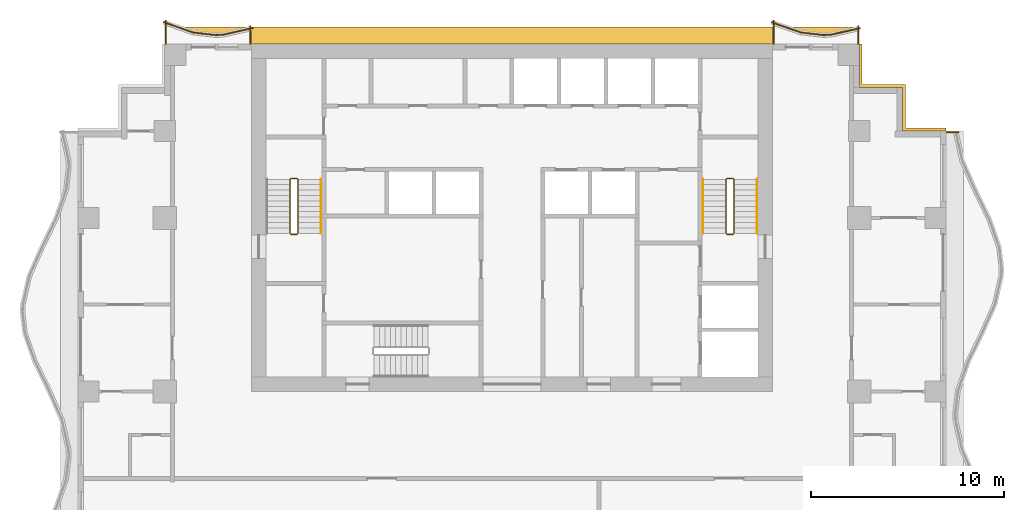
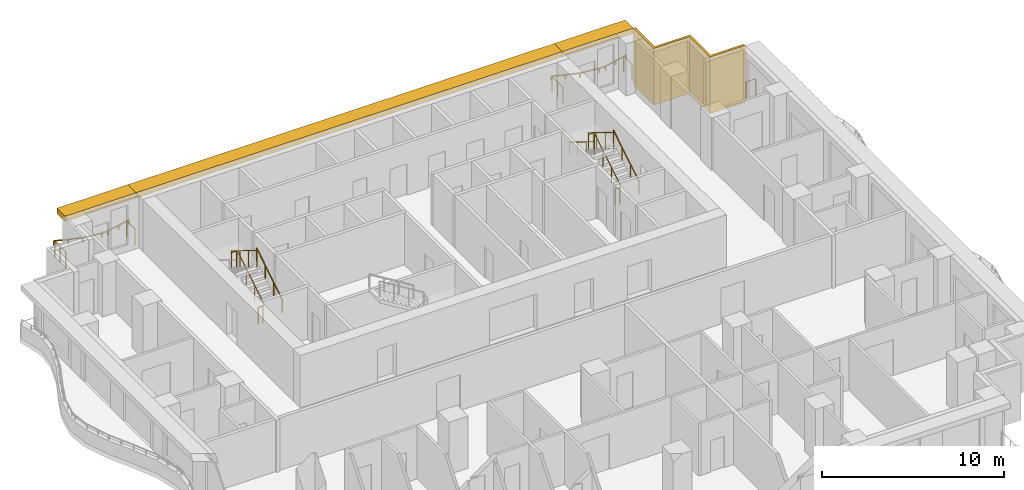
# One storey, part 10 of 10: 14 railings, 4 shading devices.
"""IFC4 building model written with IfcOpenShell, lengths in metres."""

from ifc_helpers import new_model, si_unit, direction, frame, origin, origin_2d, place, context, subcontext, project, spatial, polyline, rectangle, circle, outline, extrude, material, layer, layer_set, type_object, element, save


model = new_model("IFC4")

# Units and contexts
model_context = context("Model", 3, precision=1e-05, world=origin(), true_north=direction((0.0, 1.0)))
body_context = subcontext(model_context, "Body", "Model", "MODEL_VIEW")
ifc_project = project(units=[si_unit("LENGTHUNIT", "METRE"), si_unit("AREAUNIT", "SQUARE_METRE"), si_unit("VOLUMEUNIT", "CUBIC_METRE"), si_unit("PLANEANGLEUNIT", "RADIAN"), si_unit("MASSUNIT", "GRAM", prefix="KILO")], contexts=[model_context])

# Site, building, storey
site_placement = place(None, origin())
site = spatial("IfcSite", under=ifc_project, at=site_placement, CompositionType="ELEMENT")
building_placement = place(site_placement, origin())
building = spatial("IfcBuilding", under=site, at=building_placement, Name="Orbiselva Terraces", CompositionType="ELEMENT")
storey_placement = place(building_placement, frame((0.0, 0.0, 163.0)))
storey = spatial("IfcBuildingStorey", under=building, at=storey_placement, Name="L41", CompositionType="ELEMENT", Elevation=163.0)

# Railings
ifc_material_1 = material(Name="Stainless steel", Category="steel")
railing_type_1 = type_object("IfcRailingType", Name="CORE-GUARD-1100", PredefinedType="GUARDRAIL", material=ifc_material_1)
railing_1_placement = place(storey_placement, frame((-11.1, 12.7, 0.172727)))
element("IfcRailing", 1, at=railing_1_placement, inside=storey, type_object=railing_type_1, Name="L41 S1 stair guard 1", PredefinedType="GUARDRAIL", context=body_context, shape_type="SweptSolid", body=[
    extrude(circle(Radius=0.024, at=origin_2d()), frame((0.0, 0.0, 1.081), z_axis=(0.0, 0.851088519012, 0.52502222125), x_axis=(-1.0, 0.0, 0.0)), (0.0, 0.0, 1.0), 3.289905),
    extrude(circle(Radius=0.024, at=origin_2d()), frame((0.0, 2.8, 2.808273), z_axis=(-0.707106781187, 0.707106781187, 0.0), x_axis=(-0.707106781187, -0.707106781187, 0.0)), (0.0, 0.0, 1.0), 0.070711),
    extrude(circle(Radius=0.024, at=origin_2d()), frame((-0.05, 2.85, 2.808273), z_axis=(-1.0, 0.0, 0.0), x_axis=(0.0, -1.0, 0.0)), (0.0, 0.0, 1.0), 0.3),
    extrude(circle(Radius=0.024, at=origin_2d()), frame((-0.35, 2.85, 2.808273), z_axis=(-0.267894925557, -0.267894925557, 0.925453736133), x_axis=(0.707106781187, -0.707106781187, 0.0)), (0.0, 0.0, 1.0), 0.18664),
    extrude(circle(Radius=0.024, at=origin_2d()), frame((-0.4, 2.8, 2.981), z_axis=(0.0, -0.851088519012, 0.52502222125), x_axis=(1.0, 0.0, 0.0)), (0.0, 0.0, 1.0), 3.289905),
    extrude(circle(Radius=0.021, at=origin_2d()), origin(), (0.0, 0.0, 1.0), 1.057),
    extrude(circle(Radius=0.021, at=origin_2d()), frame((0.0, 0.933333, 0.575758)), (0.0, 0.0, 1.0), 1.057),
    extrude(circle(Radius=0.021, at=origin_2d()), frame((0.0, 1.866667, 1.151515)), (0.0, 0.0, 1.0), 1.057),
    extrude(circle(Radius=0.021, at=origin_2d()), frame((0.0, 2.8, 1.727273)), (0.0, 0.0, 1.0), 1.057),
    extrude(circle(Radius=0.021, at=origin_2d()), frame((-0.05, 2.85, 1.727273)), (0.0, 0.0, 1.0), 1.057),
    extrude(circle(Radius=0.021, at=origin_2d()), frame((-0.35, 2.85, 1.727273)), (0.0, 0.0, 1.0), 1.057),
    extrude(circle(Radius=0.021, at=origin_2d()), frame((-0.4, 2.8, 1.9)), (0.0, 0.0, 1.0), 1.057),
    extrude(circle(Radius=0.021, at=origin_2d()), frame((-0.4, 1.866667, 2.475758)), (0.0, 0.0, 1.0), 1.057),
    extrude(circle(Radius=0.021, at=origin_2d()), frame((-0.4, 0.933333, 3.051515)), (0.0, 0.0, 1.0), 1.057),
    extrude(circle(Radius=0.021, at=origin_2d()), frame((-0.4, 0.0, 3.627273)), (0.0, 0.0, 1.0), 1.057),
])
railing_2_placement = place(storey_placement, frame((-11.15, 12.65, 0.0)))
element("IfcRailing", 2, at=railing_2_placement, inside=storey, type_object=railing_type_1, Name="L41 S1 stair guard 2", PredefinedType="GUARDRAIL", context=body_context, shape_type="SweptSolid", body=[
    extrude(circle(Radius=0.024, at=origin_2d()), frame((0.0, 0.0, 1.081), z_axis=(-1.0, 0.0, 0.0), x_axis=(0.0, -1.0, 0.0)), (0.0, 0.0, 1.0), 0.3),
    extrude(circle(Radius=0.021, at=origin_2d()), origin(), (0.0, 0.0, 1.0), 1.057),
    extrude(circle(Radius=0.021, at=origin_2d()), frame((-0.3, 0.0, 0.0)), (0.0, 0.0, 1.0), 1.057),
])
railing_3_placement = place(storey_placement, frame((11.5, 12.7, 0.172727)))
element("IfcRailing", 3, at=railing_3_placement, inside=storey, type_object=railing_type_1, Name="L41 S2 stair guard 1", PredefinedType="GUARDRAIL", context=body_context, shape_type="SweptSolid", body=[
    extrude(circle(Radius=0.024, at=origin_2d()), frame((0.0, 0.0, 1.081), z_axis=(0.0, 0.851088519012, 0.52502222125), x_axis=(-1.0, 0.0, 0.0)), (0.0, 0.0, 1.0), 3.289905),
    extrude(circle(Radius=0.024, at=origin_2d()), frame((0.0, 2.8, 2.808273), z_axis=(-0.707106781187, 0.707106781187, 0.0), x_axis=(-0.707106781187, -0.707106781187, 0.0)), (0.0, 0.0, 1.0), 0.070711),
    extrude(circle(Radius=0.024, at=origin_2d()), frame((-0.05, 2.85, 2.808273), z_axis=(-1.0, 0.0, 0.0), x_axis=(0.0, -1.0, 0.0)), (0.0, 0.0, 1.0), 0.3),
    extrude(circle(Radius=0.024, at=origin_2d()), frame((-0.35, 2.85, 2.808273), z_axis=(-0.267894925557, -0.267894925557, 0.925453736133), x_axis=(0.707106781187, -0.707106781187, 0.0)), (0.0, 0.0, 1.0), 0.18664),
    extrude(circle(Radius=0.024, at=origin_2d()), frame((-0.4, 2.8, 2.981), z_axis=(0.0, -0.851088519012, 0.52502222125), x_axis=(1.0, 0.0, 0.0)), (0.0, 0.0, 1.0), 3.289905),
    extrude(circle(Radius=0.021, at=origin_2d()), origin(), (0.0, 0.0, 1.0), 1.057),
    extrude(circle(Radius=0.021, at=origin_2d()), frame((0.0, 0.933333, 0.575758)), (0.0, 0.0, 1.0), 1.057),
    extrude(circle(Radius=0.021, at=origin_2d()), frame((0.0, 1.866667, 1.151515)), (0.0, 0.0, 1.0), 1.057),
    extrude(circle(Radius=0.021, at=origin_2d()), frame((0.0, 2.8, 1.727273)), (0.0, 0.0, 1.0), 1.057),
    extrude(circle(Radius=0.021, at=origin_2d()), frame((-0.05, 2.85, 1.727273)), (0.0, 0.0, 1.0), 1.057),
    extrude(circle(Radius=0.021, at=origin_2d()), frame((-0.35, 2.85, 1.727273)), (0.0, 0.0, 1.0), 1.057),
    extrude(circle(Radius=0.021, at=origin_2d()), frame((-0.4, 2.8, 1.9)), (0.0, 0.0, 1.0), 1.057),
    extrude(circle(Radius=0.021, at=origin_2d()), frame((-0.4, 1.866667, 2.475758)), (0.0, 0.0, 1.0), 1.057),
    extrude(circle(Radius=0.021, at=origin_2d()), frame((-0.4, 0.933333, 3.051515)), (0.0, 0.0, 1.0), 1.057),
    extrude(circle(Radius=0.021, at=origin_2d()), frame((-0.4, 0.0, 3.627273)), (0.0, 0.0, 1.0), 1.057),
])
railing_4_placement = place(storey_placement, frame((11.45, 12.65, 0.0)))
element("IfcRailing", 4, at=railing_4_placement, inside=storey, type_object=railing_type_1, Name="L41 S2 stair guard 2", PredefinedType="GUARDRAIL", context=body_context, shape_type="SweptSolid", body=[
    extrude(circle(Radius=0.024, at=origin_2d()), frame((0.0, 0.0, 1.081), z_axis=(-1.0, 0.0, 0.0), x_axis=(0.0, -1.0, 0.0)), (0.0, 0.0, 1.0), 0.3),
    extrude(circle(Radius=0.021, at=origin_2d()), origin(), (0.0, 0.0, 1.0), 1.057),
    extrude(circle(Radius=0.021, at=origin_2d()), frame((-0.3, 0.0, 0.0)), (0.0, 0.0, 1.0), 1.057),
])
railing_type_2 = type_object("IfcRailingType", Name="CORE-HANDRAIL-900", PredefinedType="HANDRAIL", material=ifc_material_1)
for number, where, name in (
    (5, (-9.9, 12.7, 0.172727), "L41 S1 stair handrail 1"),
    (6, (12.7, 12.7, 0.172727), "L41 S2 stair handrail 1"),
):
    element("IfcRailing", number, at=place(storey_placement, frame(where)), inside=storey, type_object=railing_type_2, Name=name, PredefinedType="HANDRAIL", context=body_context, shape_type="SweptSolid", body=[
        extrude(circle(Radius=0.024, at=origin_2d()), frame((0.0, 0.0, 0.876), z_axis=(0.0, 0.851088519012, 0.52502222125), x_axis=(-1.0, 0.0, 0.0)), (0.0, 0.0, 1.0), 3.289905),
        extrude(circle(Radius=0.021, at=origin_2d()), origin(), (0.0, 0.0, 1.0), 0.852),
        extrude(circle(Radius=0.021, at=origin_2d()), frame((0.0, 0.933333, 0.575758)), (0.0, 0.0, 1.0), 0.852),
        extrude(circle(Radius=0.021, at=origin_2d()), frame((0.0, 1.866667, 1.151515)), (0.0, 0.0, 1.0), 0.852),
        extrude(circle(Radius=0.021, at=origin_2d()), frame((0.0, 2.8, 1.727273)), (0.0, 0.0, 1.0), 0.852),
    ])
railing_5_placement = place(storey_placement, frame((9.9, 15.5, 2.072727)))
element("IfcRailing", 7, at=railing_5_placement, inside=storey, type_object=railing_type_2, Name="L41 S2 stair handrail 2", PredefinedType="HANDRAIL", context=body_context, shape_type="SweptSolid", body=[
    extrude(circle(Radius=0.024, at=origin_2d()), frame((0.0, 0.0, 0.876), z_axis=(0.0, -0.851088519012, 0.52502222125), x_axis=(1.0, 0.0, 0.0)), (0.0, 0.0, 1.0), 3.289905),
    extrude(circle(Radius=0.021, at=origin_2d()), origin(), (0.0, 0.0, 1.0), 0.852),
    extrude(circle(Radius=0.021, at=origin_2d()), frame((0.0, -0.933333, 0.575758)), (0.0, 0.0, 1.0), 0.852),
    extrude(circle(Radius=0.021, at=origin_2d()), frame((0.0, -1.866667, 1.151515)), (0.0, 0.0, 1.0), 0.852),
    extrude(circle(Radius=0.021, at=origin_2d()), frame((0.0, -2.8, 1.727273)), (0.0, 0.0, 1.0), 0.852),
])
ifc_material_2 = material(Name="Bonded two-ply safety glass balustrade, stainless steel posts", Category="steel")
railing_type_3 = type_object("IfcRailingType", Name="ENV-BALUSTRADE-1200", PredefinedType="BALUSTRADE", material=ifc_material_2)
railing_6_placement = place(storey_placement, frame((18.027377, 23.329507, 0.9)))
element("IfcRailing", 8, at=railing_6_placement, inside=storey, type_object=railing_type_3, Name="Balcony balustrade L41 NE", PredefinedType="BALUSTRADE", context=body_context, shape_type="SweptSolid", body=[
    extrude(outline(polyline([(0.028868, 0.0), (0.014434, 0.025), (-0.014434, 0.025), (-0.028868, 0.0), (-0.014434, -0.025), (0.014434, -0.025), (0.028868, 0.0)])), frame((0.0, 0.0, 0.275), z_axis=(-0.97572138316, -0.219015484484, 0.0), x_axis=(0.219015484484, -0.97572138316, 0.0)), (0.0, 0.0, 1.0), 1.548694),
    extrude(outline(polyline([(0.028868, 0.0), (0.014434, 0.025), (-0.014434, 0.025), (-0.028868, 0.0), (-0.014434, -0.025), (0.014434, -0.025), (0.028868, 0.0)])), frame((-1.511094, -0.339188, 0.275), z_axis=(-0.999224734286, -0.03936915532, 0.0), x_axis=(0.03936915532, -0.999224734286, 0.0)), (0.0, 0.0, 1.0), 0.396376),
    extrude(outline(polyline([(0.028868, 0.0), (0.014434, 0.025), (-0.014434, 0.025), (-0.028868, 0.0), (-0.014434, -0.025), (0.014434, -0.025), (0.028868, 0.0)])), frame((-1.907163, -0.354793, 0.275), z_axis=(-0.993309551734, 0.115482182324, 0.0), x_axis=(-0.115482182324, -0.993309551734, 0.0)), (0.0, 0.0, 1.0), 1.156135),
    extrude(outline(polyline([(0.028868, 0.0), (0.014434, 0.025), (-0.014434, 0.025), (-0.028868, 0.0), (-0.014434, -0.025), (0.014434, -0.025), (0.028868, 0.0)])), frame((-3.055563, -0.22128, 0.275), z_axis=(-0.943972381216, 0.330024458945, 0.0), x_axis=(-0.330024458945, -0.943972381216, 0.0)), (0.0, 0.0, 1.0), 1.602872),
    extrude(rectangle(XDim=0.05, YDim=0.05, at=origin_2d()), origin(), (0.0, 0.0, 1.0), 0.25),
    extrude(rectangle(XDim=0.05, YDim=0.05, at=origin_2d()), frame((-0.755547, -0.169594, 0.0)), (0.0, 0.0, 1.0), 0.25),
    extrude(rectangle(XDim=0.05, YDim=0.05, at=origin_2d()), frame((-1.511094, -0.339188, 0.0)), (0.0, 0.0, 1.0), 0.25),
    extrude(rectangle(XDim=0.05, YDim=0.05, at=origin_2d()), frame((-1.907163, -0.354793, 0.0)), (0.0, 0.0, 1.0), 0.25),
    extrude(rectangle(XDim=0.05, YDim=0.05, at=origin_2d()), frame((-3.055563, -0.22128, 0.0)), (0.0, 0.0, 1.0), 0.25),
    extrude(rectangle(XDim=0.05, YDim=0.05, at=origin_2d()), frame((-3.812097, 0.043214, 0.0)), (0.0, 0.0, 1.0), 0.25),
    extrude(rectangle(XDim=0.05, YDim=0.05, at=origin_2d()), frame((-4.56863, 0.307707, 0.0)), (0.0, 0.0, 1.0), 0.25),
])
railing_7_placement = place(storey_placement, frame((-13.472623, 23.329507, 0.9)))
element("IfcRailing", 9, at=railing_7_placement, inside=storey, type_object=railing_type_3, Name="Balcony balustrade L41 NW", PredefinedType="BALUSTRADE", context=body_context, shape_type="SweptSolid", body=[
    extrude(outline(polyline([(0.028868, 0.0), (0.014434, 0.025), (-0.014434, 0.025), (-0.028868, 0.0), (-0.014434, -0.025), (0.014434, -0.025), (0.028868, 0.0)])), frame((0.0, 0.0, 0.275), z_axis=(-0.97572138316, -0.219015484484, 0.0), x_axis=(0.219015484484, -0.97572138316, 0.0)), (0.0, 0.0, 1.0), 1.548694),
    extrude(outline(polyline([(0.028868, 0.0), (0.014434, 0.025), (-0.014434, 0.025), (-0.028868, 0.0), (-0.014434, -0.025), (0.014434, -0.025), (0.028868, 0.0)])), frame((-1.511094, -0.339188, 0.275), z_axis=(-0.999224734286, -0.03936915532, 0.0), x_axis=(0.03936915532, -0.999224734286, 0.0)), (0.0, 0.0, 1.0), 0.396376),
    extrude(outline(polyline([(0.028868, 0.0), (0.014434, 0.025), (-0.014434, 0.025), (-0.028868, 0.0), (-0.014434, -0.025), (0.014434, -0.025), (0.028868, 0.0)])), frame((-1.907163, -0.354793, 0.275), z_axis=(-0.993309551734, 0.115482182324, 0.0), x_axis=(-0.115482182324, -0.993309551734, 0.0)), (0.0, 0.0, 1.0), 1.156135),
    extrude(outline(polyline([(0.028868, 0.0), (0.014434, 0.025), (-0.014434, 0.025), (-0.028868, 0.0), (-0.014434, -0.025), (0.014434, -0.025), (0.028868, 0.0)])), frame((-3.055563, -0.22128, 0.275), z_axis=(-0.943972381216, 0.330024458945, 0.0), x_axis=(-0.330024458945, -0.943972381216, 0.0)), (0.0, 0.0, 1.0), 1.602872),
    extrude(rectangle(XDim=0.05, YDim=0.05, at=origin_2d()), origin(), (0.0, 0.0, 1.0), 0.25),
    extrude(rectangle(XDim=0.05, YDim=0.05, at=origin_2d()), frame((-0.755547, -0.169594, 0.0)), (0.0, 0.0, 1.0), 0.25),
    extrude(rectangle(XDim=0.05, YDim=0.05, at=origin_2d()), frame((-1.511094, -0.339188, 0.0)), (0.0, 0.0, 1.0), 0.25),
    extrude(rectangle(XDim=0.05, YDim=0.05, at=origin_2d()), frame((-1.907163, -0.354793, 0.0)), (0.0, 0.0, 1.0), 0.25),
    extrude(rectangle(XDim=0.05, YDim=0.05, at=origin_2d()), frame((-3.055563, -0.22128, 0.0)), (0.0, 0.0, 1.0), 0.25),
    extrude(rectangle(XDim=0.05, YDim=0.05, at=origin_2d()), frame((-3.812097, 0.043214, 0.0)), (0.0, 0.0, 1.0), 0.25),
    extrude(rectangle(XDim=0.05, YDim=0.05, at=origin_2d()), frame((-4.56863, 0.307707, 0.0)), (0.0, 0.0, 1.0), 0.25),
])
ifc_material_3 = material(Name="Stainless steel rail and posts", Category="steel")
railing_type_4 = type_object("IfcRailingType", Name="ENV-GUARD-1105", PredefinedType="BALUSTRADE", material=ifc_material_3)
railing_8_placement = place(storey_placement, frame((23.119866, 17.94, 0.0)))
element("IfcRailing", 10, at=railing_8_placement, inside=storey, type_object=railing_type_4, Name="Balcony end guard L41 E", PredefinedType="BALUSTRADE", context=body_context, shape_type="SweptSolid", body=[
    extrude(outline(polyline([(0.028868, 0.0), (0.014434, 0.025), (-0.014434, 0.025), (-0.028868, 0.0), (-0.014434, -0.025), (0.014434, -0.025), (0.028868, 0.0)])), frame((0.0, 0.0, 1.08), z_axis=(-1.0, 0.0, 0.0), x_axis=(0.0, -1.0, 0.0)), (0.0, 0.0, 1.0), 0.594866),
    extrude(rectangle(XDim=0.05, YDim=0.05, at=origin_2d()), origin(), (0.0, 0.0, 1.0), 1.055),
    extrude(rectangle(XDim=0.05, YDim=0.05, at=origin_2d()), frame((-0.594866, 0.0, 0.0)), (0.0, 0.0, 1.0), 1.055),
])
railing_9_placement = place(storey_placement, frame((17.94, 23.430416, 0.0)))
element("IfcRailing", 11, at=railing_9_placement, inside=storey, type_object=railing_type_4, Name="Balcony end guard L41 NE", PredefinedType="BALUSTRADE", context=body_context, shape_type="SweptSolid", body=[
    extrude(outline(polyline([(0.028868, 0.0), (0.014434, 0.025), (-0.014434, 0.025), (-0.028868, 0.0), (-0.014434, -0.025), (0.014434, -0.025), (0.028868, 0.0)])), frame((0.0, 0.0, 1.08), z_axis=(0.0, -1.0, 0.0), x_axis=(1.0, 0.0, 0.0)), (0.0, 0.0, 1.0), 0.905416),
    extrude(rectangle(XDim=0.05, YDim=0.05, at=origin_2d()), origin(), (0.0, 0.0, 1.0), 1.055),
    extrude(rectangle(XDim=0.05, YDim=0.05, at=origin_2d()), frame((0.0, -0.905416, 0.0)), (0.0, 0.0, 1.0), 1.055),
])
railing_10_placement = place(storey_placement, frame((13.56, 23.728514, 0.0)))
element("IfcRailing", 12, at=railing_10_placement, inside=storey, type_object=railing_type_4, Name="Balcony end guard L41 NE", PredefinedType="BALUSTRADE", context=body_context, shape_type="SweptSolid", body=[
    extrude(outline(polyline([(0.028868, 0.0), (0.014434, 0.025), (-0.014434, 0.025), (-0.028868, 0.0), (-0.014434, -0.025), (0.014434, -0.025), (0.028868, 0.0)])), frame((0.0, 0.0, 1.08), z_axis=(0.0, -1.0, 0.0), x_axis=(1.0, 0.0, 0.0)), (0.0, 0.0, 1.0), 1.203514),
    extrude(rectangle(XDim=0.05, YDim=0.05, at=origin_2d()), origin(), (0.0, 0.0, 1.0), 1.055),
    extrude(rectangle(XDim=0.05, YDim=0.05, at=origin_2d()), frame((0.0, -0.601757, 0.0)), (0.0, 0.0, 1.0), 1.055),
    extrude(rectangle(XDim=0.05, YDim=0.05, at=origin_2d()), frame((0.0, -1.203514, 0.0)), (0.0, 0.0, 1.0), 1.055),
])
railing_11_placement = place(storey_placement, frame((-13.56, 23.430416, 0.0)))
element("IfcRailing", 13, at=railing_11_placement, inside=storey, type_object=railing_type_4, Name="Balcony end guard L41 NW", PredefinedType="BALUSTRADE", context=body_context, shape_type="SweptSolid", body=[
    extrude(outline(polyline([(0.028868, 0.0), (0.014434, 0.025), (-0.014434, 0.025), (-0.028868, 0.0), (-0.014434, -0.025), (0.014434, -0.025), (0.028868, 0.0)])), frame((0.0, 0.0, 1.08), z_axis=(0.0, -1.0, 0.0), x_axis=(1.0, 0.0, 0.0)), (0.0, 0.0, 1.0), 0.905416),
    extrude(rectangle(XDim=0.05, YDim=0.05, at=origin_2d()), origin(), (0.0, 0.0, 1.0), 1.055),
    extrude(rectangle(XDim=0.05, YDim=0.05, at=origin_2d()), frame((0.0, -0.905416, 0.0)), (0.0, 0.0, 1.0), 1.055),
])
railing_12_placement = place(storey_placement, frame((-17.94, 23.728514, 0.0)))
element("IfcRailing", 14, at=railing_12_placement, inside=storey, type_object=railing_type_4, Name="Balcony end guard L41 NW", PredefinedType="BALUSTRADE", context=body_context, shape_type="SweptSolid", body=[
    extrude(outline(polyline([(0.028868, 0.0), (0.014434, 0.025), (-0.014434, 0.025), (-0.028868, 0.0), (-0.014434, -0.025), (0.014434, -0.025), (0.028868, 0.0)])), frame((0.0, 0.0, 1.08), z_axis=(0.0, -1.0, 0.0), x_axis=(1.0, 0.0, 0.0)), (0.0, 0.0, 1.0), 1.203514),
    extrude(rectangle(XDim=0.05, YDim=0.05, at=origin_2d()), origin(), (0.0, 0.0, 1.0), 1.055),
    extrude(rectangle(XDim=0.05, YDim=0.05, at=origin_2d()), frame((0.0, -0.601757, 0.0)), (0.0, 0.0, 1.0), 1.055),
    extrude(rectangle(XDim=0.05, YDim=0.05, at=origin_2d()), frame((0.0, -1.203514, 0.0)), (0.0, 0.0, 1.0), 1.055),
])

# Shading devices
ifc_material_4 = material(Name="Terracotta louvre screen", Category="masonry")
ifc_layer_1 = layer(ifc_material_4, 0.15)
ifc_layer_set_1 = layer_set([ifc_layer_1], Name="Terracotta louvre screen")
shading_device_type_1 = type_object("IfcShadingDeviceType", Name="ENV-SCREEN-150", PredefinedType="USERDEFINED", material=ifc_layer_set_1)
shading_device_1_placement = place(storey_placement, frame((0.0, 0.0, -0.3)))
element("IfcShadingDevice", 15, at=shading_device_1_placement, inside=storey, type_object=shading_device_type_1, Name="Louvre screen L41 NE", ObjectType="SCREEN", PredefinedType="USERDEFINED", context=body_context, shape_type="SweptSolid", body=[
    extrude(outline(polyline([(22.5, 18.15), (20.4, 18.15), (20.4, 20.4), (18.15, 20.4), (18.15, 22.5), (18.0, 22.5), (18.0, 20.25), (20.25, 20.25), (20.25, 18.0), (22.5, 18.0), (22.5, 18.15)])), origin(), (0.0, 0.0, 1.0), 3.8),
])
ifc_material_5 = material(Name="Terracotta baguette sunshade", Category="masonry")
ifc_layer_2 = layer(ifc_material_5, 0.35)
ifc_layer_set_2 = layer_set([ifc_layer_2], Name="Terracotta baguette sunshade")
shading_device_type_2 = type_object("IfcShadingDeviceType", Name="ENV-SUNSHADE-900x350", PredefinedType="USERDEFINED", material=ifc_layer_set_2)
shading_device_2_placement = place(storey_placement, frame((0.0, 0.0, 3.15)))
element("IfcShadingDevice", 16, at=shading_device_2_placement, inside=storey, type_object=shading_device_type_2, Name="Sunshade band L41 NE", ObjectType="SUNSHADE", PredefinedType="USERDEFINED", context=body_context, shape_type="SweptSolid", body=[
    extrude(outline(polyline([(18.0, 23.4), (13.5, 23.4), (13.5, 22.5), (18.0, 22.5), (18.0, 23.4)])), origin(), (0.0, 0.0, 1.0), 0.35),
])
shading_device_3_placement = place(storey_placement, frame((0.0, 0.0, 3.15)))
element("IfcShadingDevice", 17, at=shading_device_3_placement, inside=storey, type_object=shading_device_type_2, Name="Sunshade band L41 CORE NORTH", ObjectType="SUNSHADE", PredefinedType="USERDEFINED", context=body_context, shape_type="SweptSolid", body=[
    extrude(outline(polyline([(13.5, 23.4), (-13.5, 23.4), (-13.5, 22.5), (13.5, 22.5), (13.5, 23.4)])), origin(), (0.0, 0.0, 1.0), 0.35),
])
shading_device_4_placement = place(storey_placement, frame((0.0, 0.0, 3.15)))
element("IfcShadingDevice", 18, at=shading_device_4_placement, inside=storey, type_object=shading_device_type_2, Name="Sunshade band L41 NW", ObjectType="SUNSHADE", PredefinedType="USERDEFINED", context=body_context, shape_type="SweptSolid", body=[
    extrude(outline(polyline([(-13.5, 23.4), (-18.0, 23.4), (-18.0, 22.5), (-13.5, 22.5), (-13.5, 23.4)])), origin(), (0.0, 0.0, 1.0), 0.35),
])

save(model, "model.ifc")
